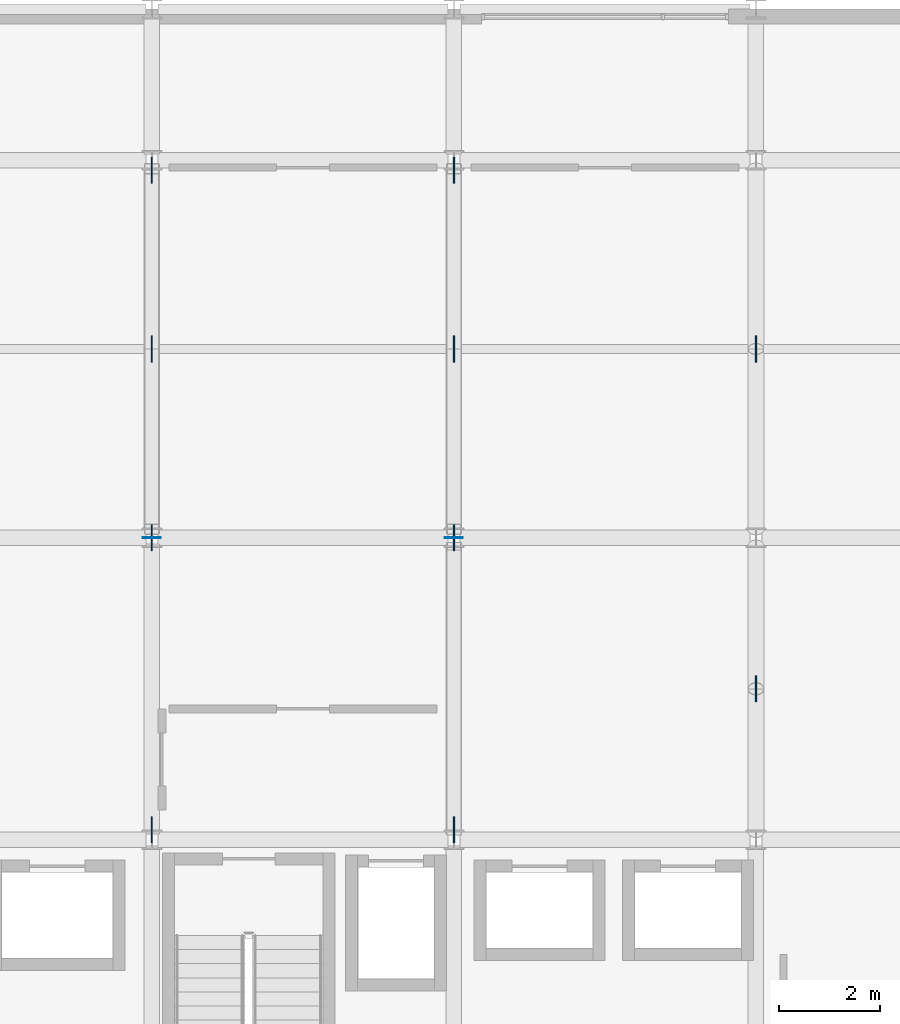
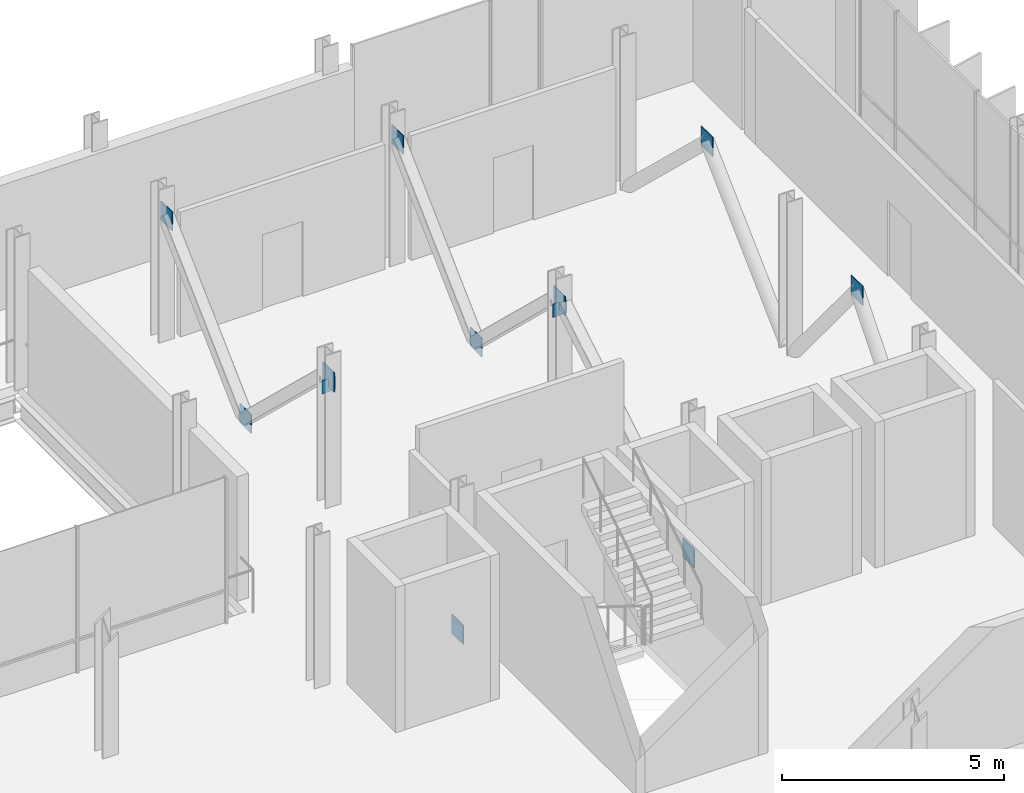
# One storey, part 26 of 33: 12 plates.
"""IFC4 building model written with IfcOpenShell, lengths in metres."""

from ifc_helpers import new_model, si_unit, direction, frame, origin, origin_2d, place, context, subcontext, project, spatial, rectangle, extrude, material, layer, layer_set, type_object, element, save


model = new_model("IFC4")

# Units and contexts
model_context = context("Model", 3, precision=1e-05, world=origin(), true_north=direction((0.0, 1.0)))
body_context = subcontext(model_context, "Body", "Model", "MODEL_VIEW")
ifc_project = project(units=[si_unit("LENGTHUNIT", "METRE"), si_unit("AREAUNIT", "SQUARE_METRE"), si_unit("VOLUMEUNIT", "CUBIC_METRE"), si_unit("PLANEANGLEUNIT", "RADIAN"), si_unit("MASSUNIT", "GRAM", prefix="KILO")], contexts=[model_context])

# Site, building, storey
site_placement = place(None, origin())
site = spatial("IfcSite", under=ifc_project, at=site_placement, CompositionType="ELEMENT")
building_placement = place(site_placement, origin())
building = spatial("IfcBuilding", under=site, at=building_placement, Name="Brevholm Reach", CompositionType="ELEMENT")
storey_placement = place(building_placement, frame((0.0, 0.0, 179.0)))
storey = spatial("IfcBuildingStorey", under=building, at=storey_placement, Name="L54", CompositionType="ELEMENT", Elevation=179.0)

# Plates
ifc_material_1 = material(Name="Structural Steel S460NH", Category="steel")
ifc_layer_1 = layer(ifc_material_1, 0.013916015625)
ifc_layer_set_1 = layer_set([ifc_layer_1], Name="Structural Steel S460NH")
plate_type_1 = type_object("IfcPlateType", Name="PLT-CAP-14", PredefinedType="USERDEFINED", material=ifc_layer_set_1)
for number, where, z_axis, x_axis, name in (
    (1, (42.0, 16.0, 3.03564453125), (0.0, 0.0, 1.0), (1.0, 0.0, 0.0), "L54 Outrigger Chord End-Cap X42"),
    (2, (48.0, 16.0, 3.03564453125), (0.0, 0.0, 1.0), (1.0, 0.0, 0.0), "L54 Outrigger Chord End-Cap X48"),
):
    element("IfcPlate", number, at=place(storey_placement, frame(where, z_axis=z_axis, x_axis=x_axis)), inside=storey, type_object=plate_type_1, Name=name, ObjectType="STIFFENER_PLATE", PredefinedType="USERDEFINED", context=body_context, shape_type="SweptSolid", body=[
        extrude(rectangle(XDim=0.360107421875, YDim=0.013916015625, at=origin_2d()), origin(), (0.0, 0.0, 1.0), 0.360107421875),
    ])
ifc_material_2 = material(Name="Structural Steel S355J2", Category="steel")
ifc_layer_2 = layer(ifc_material_2, 0.02392578125)
ifc_layer_set_2 = layer_set([ifc_layer_2], Name="Structural Steel S355J2")
plate_type_2 = type_object("IfcPlateType", Name="PLT-GUS-24", PredefinedType="USERDEFINED", material=ifc_layer_set_2)
for number, where, z_axis, x_axis, name in (
    (3, (42.0, 10.199951171875, -0.239990234375), (0.0, 0.0, 1.0), (1.0, 0.0, 0.0), "L54 Outrigger Node Gusset X42-10"),
    (4, (42.0, 16.0, 3.175537109375), (0.0, 0.0, 1.0), (1.0, 0.0, 0.0), "L54 Outrigger Node Gusset X42-16"),
    (5, (42.0, 19.75, -0.239990234375), (0.0, 0.0, 1.0), (1.0, 0.0, 0.0), "L54 Outrigger Node Gusset X42-19"),
    (6, (42.0, 23.300048828125, 3.175537109375), (0.0, 0.0, 1.0), (1.0, 0.0, 0.0), "L54 Outrigger Node Gusset X42-23"),
    (7, (48.0, 10.199951171875, -0.239990234375), (0.0, 0.0, 1.0), (1.0, 0.0, 0.0), "L54 Outrigger Node Gusset X48-10"),
    (8, (48.0, 16.0, 3.175537109375), (0.0, 0.0, 1.0), (1.0, 0.0, 0.0), "L54 Outrigger Node Gusset X48-16"),
    (9, (48.0, 19.75, -0.239990234375), (0.0, 0.0, 1.0), (1.0, 0.0, 0.0), "L54 Outrigger Node Gusset X48-19"),
    (10, (48.0, 23.300048828125, 3.175537109375), (0.0, 0.0, 1.0), (1.0, 0.0, 0.0), "L54 Outrigger Node Gusset X48-23"),
    (11, (54.0, 13.0, 3.175537109375), (0.0, 0.0, 1.0), (1.0, 0.0, 0.0), "L54 Belt Truss Apex Gusset BB-03"),
    (12, (54.0, 19.75, 3.175537109375), (0.0, 0.0, 1.0), (1.0, 0.0, 0.0), "L54 Belt Truss Apex Gusset BB-04"),
):
    element("IfcPlate", number, at=place(storey_placement, frame(where, z_axis=z_axis, x_axis=x_axis)), inside=storey, type_object=plate_type_2, Name=name, ObjectType="GUSSET_PLATE", PredefinedType="USERDEFINED", context=body_context, shape_type="SweptSolid", body=[
        extrude(rectangle(XDim=0.02392578125, YDim=0.52001953125, at=origin_2d()), origin(), (0.0, 0.0, 1.0), 0.52001953125),
    ])

save(model, "model.ifc")
